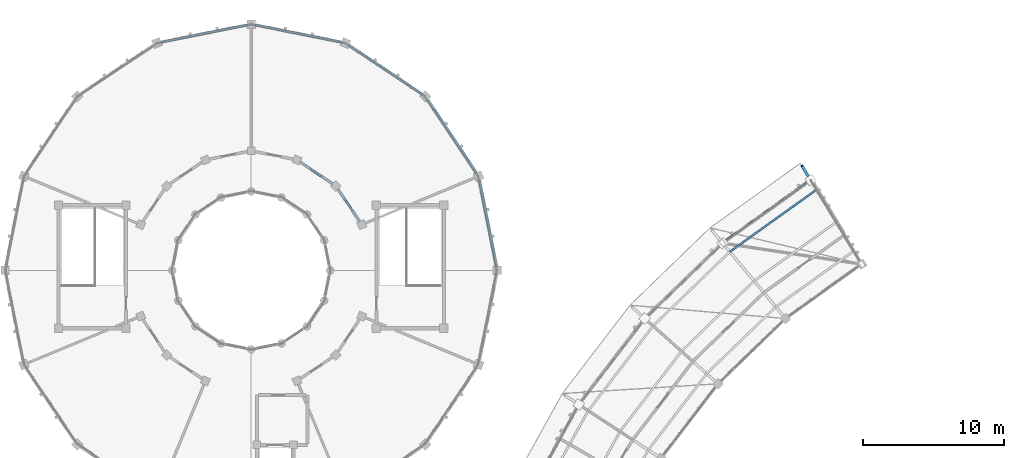
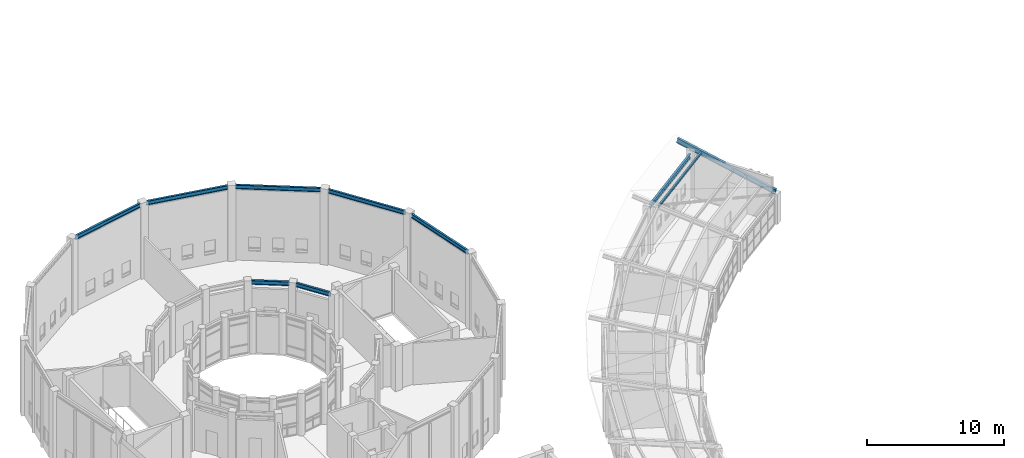
# One storey, part 80 of 149: 8 beams, 2 members.
"""IFC4 building model written with IfcOpenShell, lengths in metres."""

from ifc_helpers import new_model, si_unit, direction, frame, origin, origin_2d, place, context, subcontext, project, spatial, i_section, extrude, material, material_profile, profile_set, type_object, element, save


model = new_model("IFC4")

# Units and contexts
model_context = context("Model", 3, precision=1e-05, world=origin(), true_north=direction((0.0, 1.0)))
body_context = subcontext(model_context, "Body", "Model", "MODEL_VIEW")
ifc_project = project(units=[si_unit("LENGTHUNIT", "METRE"), si_unit("AREAUNIT", "SQUARE_METRE"), si_unit("VOLUMEUNIT", "CUBIC_METRE"), si_unit("PLANEANGLEUNIT", "RADIAN"), si_unit("MASSUNIT", "GRAM", prefix="KILO")], contexts=[model_context])

# Site, building, storey
site_placement = place(None, origin())
site = spatial("IfcSite", under=ifc_project, at=site_placement, CompositionType="ELEMENT")
building_placement = place(site_placement, origin())
building = spatial("IfcBuilding", under=site, at=building_placement, Name="Celadon Cloister-Ring School", CompositionType="ELEMENT")
storey_placement = place(building_placement, frame((0.0, 0.0, 12.5)))
storey = spatial("IfcBuildingStorey", under=building, at=storey_placement, Name="L03", CompositionType="ELEMENT", Elevation=12.5)

# Beams
ifc_material_1 = material(Name="Structural steel S355JR", Category="steel")
ifc_material_profile_1 = material_profile(ifc_material_1, i_section(OverallWidth=0.1708984375, OverallDepth=0.35498046875, WebThickness=0.007080078125, FlangeThickness=0.01171875, at=origin_2d()), Name="W360X51")
ifc_profile_set_1 = profile_set([ifc_material_profile_1], Name="Structural steel S355JR")
beam_type_1 = type_object("IfcBeamType", Name="GT-08", PredefinedType="USERDEFINED", material=ifc_profile_set_1)
beam_1_placement = place(storey_placement, frame((27.9140625, 100.4609375, 4.222900390625), z_axis=(-0.555740149771, 0.831356052442, 0.0), x_axis=(-0.831356052442, -0.555740149771, 0.0)))
element("IfcBeam", 1, at=beam_1_placement, inside=storey, type_object=beam_type_1, Name="Beam 0811", ObjectType="GIRDER", PredefinedType="USERDEFINED", context=body_context, shape_type="SweptSolid", body=[
    extrude(i_section(OverallWidth=0.1708984375, OverallDepth=0.35498046875, WebThickness=0.007080078125, FlangeThickness=0.01171875, at=origin_2d()), origin(), (0.0, 0.0, 1.0), 2.81591796875),
])
beam_2_placement = place(storey_placement, frame((26.001953125, 103.14892578125, 4.222900390625), z_axis=(-0.831315995752, 0.555800067657, 0.0), x_axis=(-0.555800067657, -0.831315995752, 0.0)))
element("IfcBeam", 2, at=beam_2_placement, inside=storey, type_object=beam_type_1, Name="Beam 0814", ObjectType="GIRDER", PredefinedType="USERDEFINED", context=body_context, shape_type="SweptSolid", body=[
    extrude(i_section(OverallWidth=0.1708984375, OverallDepth=0.35498046875, WebThickness=0.007080078125, FlangeThickness=0.01171875, at=origin_2d()), origin(), (0.0, 0.0, 1.0), 2.816162109375),
])

# Members
ifc_material_2 = material(Name="Structural steel S355JR", Category="steel")
ifc_material_profile_2 = material_profile(ifc_material_2, i_section(OverallWidth=0.133056640625, OverallDepth=0.20703125, WebThickness=0.005859375, FlangeThickness=0.00830078125, at=origin_2d()), Name="W200X27")
ifc_profile_set_2 = profile_set([ifc_material_profile_2], Name="Structural steel S355JR")
member_type_1 = type_object("IfcMemberType", Name="MP-04", PredefinedType="PURLIN", material=ifc_profile_set_2)
member_1_placement = place(storey_placement, frame((60.385009765625, 102.739013671875, 4.073974609375), z_axis=(-0.813420186009, -0.581676543272, 0.0), x_axis=(0.581676543272, -0.813420186009, 0.0)))
element("IfcMember", 3, at=member_1_placement, inside=storey, type_object=member_type_1, Name="Structural Member 0077", PredefinedType="PURLIN", context=body_context, shape_type="SweptSolid", body=[
    extrude(i_section(OverallWidth=0.133056640625, OverallDepth=0.20703125, WebThickness=0.005859375, FlangeThickness=0.00830078125, at=origin_2d()), origin(), (0.0, 0.0, 1.0), 7.585205078125),
])
ifc_material_3 = material(Name="Structural steel S355JR", Category="steel")
ifc_material_profile_3 = material_profile(ifc_material_3, i_section(OverallWidth=0.18994140625, OverallDepth=0.45703125, WebThickness=0.009033203125, FlangeThickness=0.014404296875, at=origin_2d()), Name="W460X74")
ifc_profile_set_3 = profile_set([ifc_material_profile_3], Name="Structural steel S355JR")
member_type_2 = type_object("IfcMemberType", Name="MR-03", PredefinedType="RAFTER", material=ifc_profile_set_3)
member_2_placement = place(storey_placement, frame((63.60791015625, 97.44189453125, 2.674072265625), z_axis=(-0.506907034366, 0.833288146027, 0.220626662491), x_axis=(-0.854340521519, -0.519713645473, 0.0)))
element("IfcMember", 4, at=member_2_placement, inside=storey, type_object=member_type_2, Name="Structural Member 0002", PredefinedType="RAFTER", context=body_context, shape_type="SweptSolid", body=[
    extrude(i_section(OverallWidth=0.18994140625, OverallDepth=0.45703125, WebThickness=0.009033203125, FlangeThickness=0.014404296875, at=origin_2d()), origin(), (0.0, 0.0, 1.0), 8.40771484375),
])

# Beams
ifc_material_4 = material(Name="Structural steel S355JR", Category="steel")
ifc_material_profile_4 = material_profile(ifc_material_4, i_section(OverallWidth=0.1708984375, OverallDepth=0.35498046875, WebThickness=0.007080078125, FlangeThickness=0.01171875, at=origin_2d()), Name="W360X51")
ifc_profile_set_4 = profile_set([ifc_material_profile_4], Name="Structural steel S355JR")
beam_type_2 = type_object("IfcBeamType", Name="SP-04", PredefinedType="SPANDREL", material=ifc_profile_set_4)
beam_3_placement = place(storey_placement, frame((59.7451171875, 103.261962890625, 3.722900390625), z_axis=(-0.813396628372, -0.581709485013, 0.0), x_axis=(0.581709485013, -0.813396628372, 0.0)))
element("IfcBeam", 5, at=beam_3_placement, inside=storey, type_object=beam_type_2, Name="Beam 0524", PredefinedType="SPANDREL", context=body_context, shape_type="SweptSolid", body=[
    extrude(i_section(OverallWidth=0.1708984375, OverallDepth=0.35498046875, WebThickness=0.007080078125, FlangeThickness=0.01171875, at=origin_2d()), origin(), (0.0, 0.0, 1.0), 7.15283203125),
])
for number, where, z_axis, x_axis, name in (
    (6, (37.64599609375, 97.27001953125, 6.472900390625), (-0.194964206518, 0.980810357907, 0.0), (-0.980810357907, -0.194964206518, 0.0), "Beam 0808"),
    (7, (36.215087890625, 103.926025390625, 6.472900390625), (-0.555660177561, 0.831409506244, 0.0), (-0.831409506244, -0.555660177561, 0.0), "Beam 0810"),
):
    element("IfcBeam", number, at=place(storey_placement, frame(where, z_axis=z_axis, x_axis=x_axis)), inside=storey, type_object=beam_type_2, Name=name, PredefinedType="SPANDREL", context=body_context, shape_type="SweptSolid", body=[
        extrude(i_section(OverallWidth=0.1708984375, OverallDepth=0.35498046875, WebThickness=0.007080078125, FlangeThickness=0.01171875, at=origin_2d()), origin(), (0.0, 0.0, 1.0), 6.27734375),
    ])
beam_4_placement = place(storey_placement, frame((32.344970703125, 109.527099609375, 6.472900390625), z_axis=(-0.831427473898, 0.555633292422, 0.0), x_axis=(-0.555633292422, -0.831427473898, 0.0)))
element("IfcBeam", 8, at=beam_4_placement, inside=storey, type_object=beam_type_2, Name="Beam 0813", PredefinedType="SPANDREL", context=body_context, shape_type="SweptSolid", body=[
    extrude(i_section(OverallWidth=0.1708984375, OverallDepth=0.35498046875, WebThickness=0.007080078125, FlangeThickness=0.01171875, at=origin_2d()), origin(), (0.0, 0.0, 1.0), 6.277099609375),
])
for number, where, z_axis, x_axis, name in (
    (9, (26.626953125, 113.221923828125, 6.472900390625), (-0.980802920261, 0.195001619501, 0.0), (-0.195001619501, -0.980802920261, 0.0), "Beam 0816"),
    (10, (19.929931640625, 114.446044921875, 6.472900390625), (-0.980802920261, -0.195001619501, 0.0), (0.195001619501, -0.980802920261, 0.0), "Beam 0819"),
):
    element("IfcBeam", number, at=place(storey_placement, frame(where, z_axis=z_axis, x_axis=x_axis)), inside=storey, type_object=beam_type_2, Name=name, PredefinedType="SPANDREL", context=body_context, shape_type="SweptSolid", body=[
        extrude(i_section(OverallWidth=0.1708984375, OverallDepth=0.35498046875, WebThickness=0.007080078125, FlangeThickness=0.01171875, at=origin_2d()), origin(), (0.0, 0.0, 1.0), 6.277587890625),
    ])

save(model, "model.ifc")
